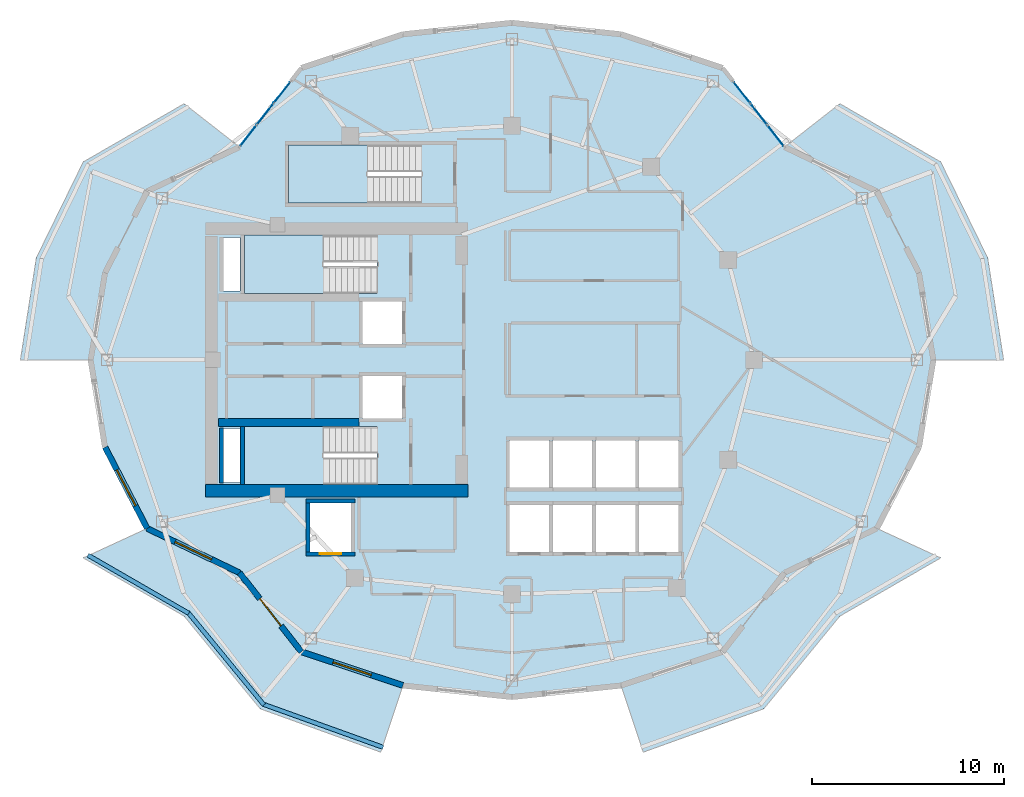
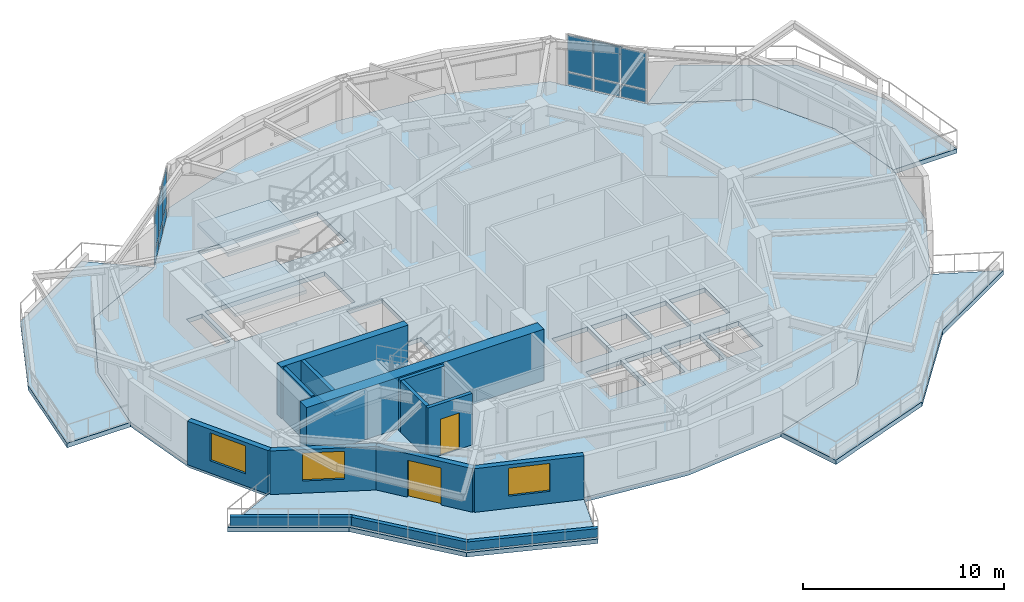
# One storey, part 5 of 13: 14 plates, 14 walls, 8 slabs, 3 windows, 2 doors, 5 openings, 5 elements without a shape of their own.
"""IFC4 building model written with IfcOpenShell, lengths in metres."""

from ifc_helpers import new_model, si_unit, direction, frame, frame_2d, origin, origin_2d, place, context, subcontext, project, spatial, polyline, rectangle, outline, extrude, material, layer, layer_set, type_object, element, fill, aggregate, save


model = new_model("IFC4")

# Units and contexts
model_context = context("Model", 3, precision=1e-05, world=origin(), true_north=direction((0.0, 1.0)))
body_context = subcontext(model_context, "Body", "Model", "MODEL_VIEW")
ifc_project = project(units=[si_unit("LENGTHUNIT", "METRE"), si_unit("AREAUNIT", "SQUARE_METRE"), si_unit("VOLUMEUNIT", "CUBIC_METRE"), si_unit("PLANEANGLEUNIT", "RADIAN"), si_unit("MASSUNIT", "GRAM", prefix="KILO")], contexts=[model_context])

# Site, building, storey
site_placement = place(None, origin())
site = spatial("IfcSite", under=ifc_project, at=site_placement, CompositionType="ELEMENT")
building_placement = place(site_placement, origin())
building = spatial("IfcBuilding", under=site, at=building_placement, Name="Kolvaren Gate Tower and Convention Centre", CompositionType="ELEMENT")
storey_placement = place(building_placement, frame((0.0, 0.0, 142.699951171875)))
storey = spatial("IfcBuildingStorey", under=building, at=storey_placement, Name="L36", CompositionType="ELEMENT", Elevation=142.699951171875)

# Plates
ifc_material_1 = material(Name="Perforated Anodized Bronze Aluminium Sheet 6 mm", Category="aluminium")
ifc_layer_1 = layer(ifc_material_1, 0.011962890625)
ifc_layer_set_1 = layer_set([ifc_layer_1], Name="Perforated Anodized Bronze Aluminium Sheet 6 mm")
plate_type_1 = type_object("IfcPlateType", Name="ARCH-PL-SCREEN-PERF", PredefinedType="SHEET", material=ifc_layer_set_1)
for number, where, z_axis, x_axis, name in (
    (1, (42.70361328125, 40.142333984375, 2.2900390625), (0.0, 0.0, 1.0), (0.616434119112, -0.787406487651, 0.0), "Tower L36 Perforated Bronze Solar Screen SS-03"),
    (2, (17.54638671875, 40.142333984375, 2.2900390625), (0.0, 0.0, 1.0), (0.616446487588, 0.787396804629, 0.0), "Tower L36 Perforated Bronze Solar Screen SS-08"),
):
    element("IfcPlate", number, at=place(storey_placement, frame(where, z_axis=z_axis, x_axis=x_axis)), inside=storey, type_object=plate_type_1, Name=name, PredefinedType="SHEET", context=body_context, shape_type="SweptSolid", body=[
        extrude(rectangle(XDim=2.60009765625, YDim=0.011962890625, at=origin_2d()), origin(), (0.0, 0.0, 1.0), 0.840087890625),
    ])

# Curtain wall, plates
ifc_material_2 = material(Name="Anodized Architectural Aluminium Alloy 6063-T6", Category="aluminium")
ifc_layer_2 = layer(ifc_material_2, 0.159912109375)
ifc_layer_set_2 = layer_set([ifc_layer_2], Name="Anodized Architectural Aluminium Alloy 6063-T6")
curtain_wall_type = type_object("IfcCurtainWallType", Name="CW-HTL-UNIT", PredefinedType="NOTDEFINED", material=ifc_layer_set_2)
curtain_wall_1_placement = place(storey_placement, origin())
curtain_wall_1 = element("IfcCurtainWall", 3, at=curtain_wall_1_placement, inside=storey, type_object=curtain_wall_type, Name="Tower L36 Unitised Curtain Wall CW-HTL-UNIT Bay 03", PredefinedType="NOTDEFINED")
ifc_material_3 = material(Name="Low-E Triple Insulated Glazing Unit 44 mm", Category="glass")
ifc_layer_3 = layer(ifc_material_3, 0.0439453125)
ifc_layer_set_3 = layer_set([ifc_layer_3], Name="Low-E Triple Insulated Glazing Unit 44 mm")
plate_type_2 = type_object("IfcPlateType", Name="CW-PL-IGU-44", PredefinedType="CURTAIN_PANEL", material=ifc_layer_set_3)
plate_1_placement = place(storey_placement, frame((42.09033203125, 40.925537109375, 0.882568359375), z_axis=(0.0, 0.0, 1.0), x_axis=(0.616437890084, -0.787403535469, 0.0)))
plate_1 = element("IfcPlate", 4, at=plate_1_placement, type_object=plate_type_2, Name="CW-03 panel 1.2", PredefinedType="CURTAIN_PANEL", context=body_context, shape_type="SweptSolid", body=[
    extrude(rectangle(XDim=1.3515625, YDim=0.0439453125, at=origin_2d()), origin(), (0.0, 0.0, 1.0), 2.1826171875),
])
plate_2_placement = place(storey_placement, frame((42.9736328125, 39.79736328125, 0.882568359375), z_axis=(0.0, 0.0, 1.0), x_axis=(0.616437890084, -0.787403535469, 0.0)))
plate_2 = element("IfcPlate", 5, at=plate_2_placement, type_object=plate_type_2, Name="CW-03 panel 2.2", PredefinedType="CURTAIN_PANEL", context=body_context, shape_type="SweptSolid", body=[
    extrude(rectangle(XDim=1.384033203125, YDim=0.0439453125, at=origin_2d()), origin(), (0.0, 0.0, 1.0), 2.1826171875),
])
plate_3_placement = place(storey_placement, frame((43.85693359375, 38.669189453125, 0.882568359375), z_axis=(0.0, 0.0, 1.0), x_axis=(0.616437890084, -0.787403535469, 0.0)))
plate_3 = element("IfcPlate", 6, at=plate_3_placement, type_object=plate_type_2, Name="CW-03 panel 3.2", PredefinedType="CURTAIN_PANEL", context=body_context, shape_type="SweptSolid", body=[
    extrude(rectangle(XDim=1.3515625, YDim=0.0439453125, at=origin_2d()), origin(), (0.0, 0.0, 1.0), 2.1826171875),
])

curtain_wall_2_placement = place(storey_placement, origin())
curtain_wall_2 = element("IfcCurtainWall", 7, at=curtain_wall_2_placement, inside=storey, type_object=curtain_wall_type, Name="Tower L36 Unitised Curtain Wall CW-HTL-UNIT Bay 08", PredefinedType="NOTDEFINED")
plate_4_placement = place(storey_placement, frame((16.39306640625, 38.669189453125, 0.882568359375), z_axis=(0.0, 0.0, 1.0), x_axis=(0.616449056034, 0.787394793807, 0.0)))
plate_4 = element("IfcPlate", 8, at=plate_4_placement, type_object=plate_type_2, Name="CW-03 panel 1.2", PredefinedType="CURTAIN_PANEL", context=body_context, shape_type="SweptSolid", body=[
    extrude(rectangle(XDim=1.3515625, YDim=0.0439453125, at=origin_2d()), origin(), (0.0, 0.0, 1.0), 2.1826171875),
])
plate_5_placement = place(storey_placement, frame((17.2763671875, 39.79736328125, 0.882568359375), z_axis=(0.0, 0.0, 1.0), x_axis=(0.616449056034, 0.787394793807, 0.0)))
plate_5 = element("IfcPlate", 9, at=plate_5_placement, type_object=plate_type_2, Name="CW-03 panel 2.2", PredefinedType="CURTAIN_PANEL", context=body_context, shape_type="SweptSolid", body=[
    extrude(rectangle(XDim=1.384033203125, YDim=0.0439453125, at=origin_2d()), origin(), (0.0, 0.0, 1.0), 2.1826171875),
])
plate_6_placement = place(storey_placement, frame((18.15966796875, 40.925537109375, 0.882568359375), z_axis=(0.0, 0.0, 1.0), x_axis=(0.616449056034, 0.787394793807, 0.0)))
plate_6 = element("IfcPlate", 10, at=plate_6_placement, type_object=plate_type_2, Name="CW-03 panel 3.2", PredefinedType="CURTAIN_PANEL", context=body_context, shape_type="SweptSolid", body=[
    extrude(rectangle(XDim=1.3515625, YDim=0.0439453125, at=origin_2d()), origin(), (0.0, 0.0, 1.0), 2.1826171875),
])

# Plate
ifc_material_4 = material(Name="Solar-Control Laminated Curtain Glazing 36 mm", Category="glass")
ifc_layer_4 = layer(ifc_material_4, 0.035888671875)
ifc_layer_set_4 = layer_set([ifc_layer_4], Name="Solar-Control Laminated Curtain Glazing 36 mm")
plate_type_3 = type_object("IfcPlateType", Name="CW-PL-SPAN-36", PredefinedType="CURTAIN_PANEL", material=ifc_layer_set_4)
plate_7_placement = place(storey_placement, frame((42.09033203125, 40.925537109375, 0.065185546875), z_axis=(0.0, 0.0, 1.0), x_axis=(0.616437890084, -0.787403535469, 0.0)))
plate_7 = element("IfcPlate", 11, at=plate_7_placement, type_object=plate_type_3, Name="CW-03 panel 1.1", PredefinedType="CURTAIN_PANEL", context=body_context, shape_type="SweptSolid", body=[
    extrude(rectangle(XDim=1.3515625, YDim=0.035888671875, at=origin_2d()), origin(), (0.0, 0.0, 1.0), 0.75244140625),
])

plate_8_placement = place(storey_placement, frame((42.9736328125, 39.79736328125, 0.065185546875), z_axis=(0.0, 0.0, 1.0), x_axis=(0.616437890084, -0.787403535469, 0.0)))
plate_8 = element("IfcPlate", 12, at=plate_8_placement, type_object=plate_type_3, Name="CW-03 panel 2.1", PredefinedType="CURTAIN_PANEL", context=body_context, shape_type="SweptSolid", body=[
    extrude(rectangle(XDim=1.384033203125, YDim=0.035888671875, at=origin_2d()), origin(), (0.0, 0.0, 1.0), 0.75244140625),
])

plate_9_placement = place(storey_placement, frame((43.85693359375, 38.669189453125, 0.065185546875), z_axis=(0.0, 0.0, 1.0), x_axis=(0.616437890084, -0.787403535469, 0.0)))
plate_9 = element("IfcPlate", 13, at=plate_9_placement, type_object=plate_type_3, Name="CW-03 panel 3.1", PredefinedType="CURTAIN_PANEL", context=body_context, shape_type="SweptSolid", body=[
    extrude(rectangle(XDim=1.3515625, YDim=0.035888671875, at=origin_2d()), origin(), (0.0, 0.0, 1.0), 0.75244140625),
])

aggregate(curtain_wall_1, [plate_7, plate_1, plate_8, plate_2, plate_9, plate_3])

plate_10_placement = place(storey_placement, frame((16.39306640625, 38.669189453125, 0.065185546875), z_axis=(0.0, 0.0, 1.0), x_axis=(0.616449056034, 0.787394793807, 0.0)))
plate_10 = element("IfcPlate", 14, at=plate_10_placement, type_object=plate_type_3, Name="CW-03 panel 1.1", PredefinedType="CURTAIN_PANEL", context=body_context, shape_type="SweptSolid", body=[
    extrude(rectangle(XDim=1.3515625, YDim=0.035888671875, at=origin_2d()), origin(), (0.0, 0.0, 1.0), 0.75244140625),
])

plate_11_placement = place(storey_placement, frame((17.2763671875, 39.79736328125, 0.065185546875), z_axis=(0.0, 0.0, 1.0), x_axis=(0.616449056034, 0.787394793807, 0.0)))
plate_11 = element("IfcPlate", 15, at=plate_11_placement, type_object=plate_type_3, Name="CW-03 panel 2.1", PredefinedType="CURTAIN_PANEL", context=body_context, shape_type="SweptSolid", body=[
    extrude(rectangle(XDim=1.384033203125, YDim=0.035888671875, at=origin_2d()), origin(), (0.0, 0.0, 1.0), 0.75244140625),
])

plate_12_placement = place(storey_placement, frame((18.15966796875, 40.925537109375, 0.065185546875), z_axis=(0.0, 0.0, 1.0), x_axis=(0.616449056034, 0.787394793807, 0.0)))
plate_12 = element("IfcPlate", 16, at=plate_12_placement, type_object=plate_type_3, Name="CW-03 panel 3.1", PredefinedType="CURTAIN_PANEL", context=body_context, shape_type="SweptSolid", body=[
    extrude(rectangle(XDim=1.3515625, YDim=0.035888671875, at=origin_2d()), origin(), (0.0, 0.0, 1.0), 0.75244140625),
])

aggregate(curtain_wall_2, [plate_10, plate_4, plate_11, plate_5, plate_12, plate_6])

# Slabs
ifc_material_5 = material(Name="Concrete C50/60", Category="concrete")
ifc_layer_5 = layer(ifc_material_5, 0.27001953125)
ifc_layer_set_5 = layer_set([ifc_layer_5], Name="Concrete C50/60")
slab_type_1 = type_object("IfcSlabType", Name="STR-SL-BALC-270", PredefinedType="FLOOR", material=ifc_layer_set_5)
slab_1_placement = place(storey_placement, frame((0.0, 0.0, -0.27001953125)))
element("IfcSlab", 17, at=slab_1_placement, inside=storey, type_object=slab_type_1, Name="Tower L36 Planted Balcony Terrace Slab 1 (East)", PredefinedType="FLOOR", context=body_context, shape_type="SweptSolid", body=[
    extrude(outline(polyline([(52.0625, 27.0), (51.31494140625, 31.542236328125), (49.123291015625, 35.77490234375), (44.3134765625, 38.0859375), (47.197509765625, 40.33935546875), (52.446044921875, 37.309814453125), (54.893798828125, 32.309326171875), (55.722412109375, 27.0), (52.0625, 27.0)])), origin(), (0.0, 0.0, 1.0), 0.27001953125),
])
slab_2_placement = place(storey_placement, frame((0.0, 0.0, -0.27001953125)))
element("IfcSlab", 18, at=slab_2_placement, inside=storey, type_object=slab_type_1, Name="Tower L36 Planted Balcony Terrace Slab 2 (West)", PredefinedType="FLOOR", context=body_context, shape_type="SweptSolid", body=[
    extrude(outline(polyline([(15.9365234375, 38.0859375), (11.126708984375, 35.77490234375), (8.93505859375, 31.542236328125), (8.1875, 27.0), (4.527587890625, 27.0), (5.356201171875, 32.309326171875), (7.803955078125, 37.309814453125), (13.052490234375, 40.33935546875), (15.9365234375, 38.0859375)])), origin(), (0.0, 0.0, 1.0), 0.27001953125),
])
slab_3_placement = place(storey_placement, frame((0.0, 0.0, -0.27001953125)))
element("IfcSlab", 19, at=slab_3_placement, inside=storey, type_object=slab_type_1, Name="Tower L36 Planted Balcony Terrace Slab 3 (South)", PredefinedType="FLOOR", context=body_context, shape_type="SweptSolid", body=[
    extrude(outline(polyline([(11.126708984375, 18.22509765625), (15.9365234375, 15.9140625), (19.15625, 11.80126953125), (24.447265625, 10.048095703125), (23.284912109375, 6.577392578125), (17.014404296875, 8.83349609375), (13.052490234375, 13.66064453125), (7.803955078125, 16.690185546875), (11.126708984375, 18.22509765625)])), origin(), (0.0, 0.0, 1.0), 0.27001953125),
])
slab_4_placement = place(storey_placement, frame((0.0, 0.0, -0.27001953125)))
element("IfcSlab", 20, at=slab_4_placement, inside=storey, type_object=slab_type_1, Name="Tower L36 Planted Balcony Terrace Slab 4 (South)", PredefinedType="FLOOR", context=body_context, shape_type="SweptSolid", body=[
    extrude(outline(polyline([(35.802734375, 10.048095703125), (41.09375, 11.80126953125), (44.3134765625, 15.9140625), (49.123291015625, 18.22509765625), (52.446044921875, 16.690185546875), (47.197509765625, 13.66064453125), (43.235595703125, 8.83349609375), (36.965087890625, 6.577392578125), (35.802734375, 10.048095703125)])), origin(), (0.0, 0.0, 1.0), 0.27001953125),
])
ifc_material_6 = material(Name="Concrete C40/50", Category="concrete")
ifc_layer_6 = layer(ifc_material_6, 0.27001953125)
ifc_layer_set_6 = layer_set([ifc_layer_6], Name="Concrete C40/50")
slab_type_2 = type_object("IfcSlabType", Name="STR-SL-FLR-270", PredefinedType="FLOOR", material=ifc_layer_set_6)
slab_5_placement = place(storey_placement, frame((0.0, 0.0, -0.27001953125)))
element("IfcSlab", 21, at=slab_5_placement, inside=storey, type_object=slab_type_2, Name="Tower L36 Structural Floor Slab", PredefinedType="FLOOR", context=body_context, shape_type="SweptSolid", body=[
    extrude(outline(polyline([(52.0625, 27.0), (51.31494140625, 31.542236328125), (49.123291015625, 35.77490234375), (44.3134765625, 38.0859375), (41.09375, 42.19873046875), (35.802734375, 43.951904296875), (30.125, 44.550048828125), (24.447265625, 43.951904296875), (19.15625, 42.19873046875), (15.9365234375, 38.0859375), (11.126708984375, 35.77490234375), (8.93505859375, 31.542236328125), (8.1875, 27.0), (8.93505859375, 22.457763671875), (11.126708984375, 18.22509765625), (15.9365234375, 15.9140625), (19.15625, 11.80126953125), (24.447265625, 10.048095703125), (30.125, 9.449951171875), (35.802734375, 10.048095703125), (41.09375, 11.80126953125), (44.3134765625, 15.9140625), (49.123291015625, 18.22509765625), (51.31494140625, 22.457763671875), (52.0625, 27.0)]), holes=[polyline([(36.75, 17.0), (36.75, 19.449951171875), (38.800048828125, 19.449951171875), (38.800048828125, 17.0), (36.75, 17.0)]), polyline([(36.75, 20.35009765625), (36.75, 22.800048828125), (38.800048828125, 22.800048828125), (38.800048828125, 20.35009765625), (36.75, 20.35009765625)]), polyline([(34.5, 17.0), (34.5, 19.449951171875), (36.550048828125, 19.449951171875), (36.550048828125, 17.0), (34.5, 17.0)]), polyline([(34.5, 20.35009765625), (34.5, 22.800048828125), (36.550048828125, 22.800048828125), (36.550048828125, 20.35009765625), (34.5, 20.35009765625)]), polyline([(32.25, 17.0), (32.25, 19.449951171875), (34.300048828125, 19.449951171875), (34.300048828125, 17.0), (32.25, 17.0)]), polyline([(32.25, 20.35009765625), (32.25, 22.800048828125), (34.300048828125, 22.800048828125), (34.300048828125, 20.35009765625), (32.25, 20.35009765625)]), polyline([(30.0, 17.0), (30.0, 19.449951171875), (32.050048828125, 19.449951171875), (32.050048828125, 17.0), (30.0, 17.0)]), polyline([(30.0, 20.35009765625), (30.0, 22.800048828125), (32.050048828125, 22.800048828125), (32.050048828125, 20.35009765625), (30.0, 20.35009765625)]), polyline([(25.39990234375, 38.199951171875), (25.39990234375, 35.159912109375), (18.5, 35.159912109375), (18.5, 38.199951171875), (25.39990234375, 38.199951171875)]), polyline([(22.35009765625, 23.9599609375), (22.35009765625, 26.159912109375), (24.39990234375, 26.159912109375), (24.39990234375, 23.9599609375), (22.35009765625, 23.9599609375)]), polyline([(22.35009765625, 27.840087890625), (22.35009765625, 30.0400390625), (24.39990234375, 30.0400390625), (24.39990234375, 27.840087890625), (22.35009765625, 27.840087890625)]), polyline([(23.10009765625, 23.5400390625), (23.10009765625, 20.5), (16.199951171875, 20.5), (16.199951171875, 23.5400390625), (23.10009765625, 23.5400390625)]), polyline([(23.10009765625, 33.5), (23.10009765625, 30.4599609375), (16.199951171875, 30.4599609375), (16.199951171875, 33.5), (23.10009765625, 33.5)]), polyline([(19.60009765625, 17.0), (19.60009765625, 19.550048828125), (21.75, 19.550048828125), (21.75, 17.0), (19.60009765625, 17.0)]), polyline([(15.080078125, 20.6298828125), (15.080078125, 23.419921875), (15.969970703125, 23.419921875), (15.969970703125, 20.6298828125), (15.080078125, 20.6298828125)]), polyline([(15.080078125, 30.580078125), (15.080078125, 33.3701171875), (15.969970703125, 33.3701171875), (15.969970703125, 30.580078125), (15.080078125, 30.580078125)])]), origin(), (0.0, 0.0, 1.0), 0.27001953125),
])

# Stair, slab
stair_type = type_object("IfcStairType", Name="STR-STAIR-CORE", PredefinedType="HALF_TURN_STAIR", material=ifc_material_5)
stair_1_placement = place(storey_placement, origin())
stair_1 = element("IfcStair", 22, at=stair_1_placement, inside=storey, type_object=stair_type, Name="L36 Tower North Exit Stair ST-T1", PredefinedType="HALF_TURN_STAIR")
ifc_layer_7 = layer(ifc_material_5, 0.199951171875)
ifc_layer_set_7 = layer_set([ifc_layer_7], Name="Concrete C50/60")
slab_type_3 = type_object("IfcSlabType", Name="STR-SL-LAND-200", PredefinedType="LANDING", material=ifc_layer_set_7)
slab_6_placement = place(storey_placement, frame((0.0, 0.0, 1.5)))
slab_6 = element("IfcSlab", 23, at=slab_6_placement, type_object=slab_type_3, Name="ST-T1 landing 1", PredefinedType="LANDING", context=body_context, shape_type="SweptSolid", body=[
    extrude(outline(polyline([(20.31005859375, 33.5), (16.199951171875, 33.5), (16.199951171875, 30.4599609375), (20.31005859375, 30.4599609375), (20.31005859375, 33.5)])), origin(), (0.0, 0.0, 1.0), 0.199951171875),
])
aggregate(stair_1, [slab_6])

stair_2_placement = place(storey_placement, origin())
stair_2 = element("IfcStair", 24, at=stair_2_placement, inside=storey, type_object=stair_type, Name="L36 Tower South Exit Stair ST-T2", PredefinedType="HALF_TURN_STAIR")
slab_7_placement = place(storey_placement, frame((0.0, 0.0, 1.5)))
slab_7 = element("IfcSlab", 25, at=slab_7_placement, type_object=slab_type_3, Name="ST-T2 landing 1", PredefinedType="LANDING", context=body_context, shape_type="SweptSolid", body=[
    extrude(outline(polyline([(20.31005859375, 23.5400390625), (16.199951171875, 23.5400390625), (16.199951171875, 20.5), (20.31005859375, 20.5), (20.31005859375, 23.5400390625)])), origin(), (0.0, 0.0, 1.0), 0.199951171875),
])
aggregate(stair_2, [slab_7])

stair_3_placement = place(storey_placement, origin())
stair_3 = element("IfcStair", 26, at=stair_3_placement, inside=storey, type_object=stair_type, Name="L36 Tower Mid-Zone Exit Stair ST-T3", PredefinedType="HALF_TURN_STAIR")
slab_8_placement = place(storey_placement, frame((0.0, 0.0, 1.5)))
slab_8 = element("IfcSlab", 27, at=slab_8_placement, type_object=slab_type_3, Name="ST-T3 landing 1", PredefinedType="LANDING", context=body_context, shape_type="SweptSolid", body=[
    extrude(outline(polyline([(22.610107421875, 38.199951171875), (18.5, 38.199951171875), (18.5, 35.159912109375), (22.610107421875, 35.159912109375), (22.610107421875, 38.199951171875)])), origin(), (0.0, 0.0, 1.0), 0.199951171875),
])
aggregate(stair_3, [slab_8])

# Walls
ifc_material_7 = material(Name="Piedmont Cream Honed Limestone Cladding", Category="masonry")
ifc_layer_8 = layer(ifc_material_7, 0.219970703125)
ifc_layer_set_8 = layer_set([ifc_layer_8], Name="Piedmont Cream Honed Limestone Cladding")
wall_type_1 = type_object("IfcWallType", Name="ARCH-WL-PLANTER-220", PredefinedType="PARAPET", material=ifc_layer_set_8)
wall_1_placement = place(storey_placement, frame((8.0439453125, 16.83447265625, 0.0), z_axis=(0.0, 0.0, 1.0), x_axis=(0.866058128659, -0.499943314571, 0.0)))
element("IfcWall", 28, at=wall_1_placement, inside=storey, type_object=wall_type_1, Name="Vertical-Forest Balcony Stone Planter Kerb PK-L36-3.1", PredefinedType="PARAPET", context=body_context, shape_type="SweptSolid", body=[
    extrude(rectangle(XDim=6.060302734375, YDim=0.219970703125, at=frame_2d((3.0302734375, 0.0))), origin(), (0.0, 0.0, 1.0), 0.52001953125),
])
wall_2_placement = place(storey_placement, frame((13.24609375, 13.86279296875, 0.0), z_axis=(0.0, 0.0, 1.0), x_axis=(0.634429234628, -0.77298094818, 0.0)))
element("IfcWall", 29, at=wall_2_placement, inside=storey, type_object=wall_type_1, Name="Vertical-Forest Balcony Stone Planter Kerb PK-L36-3.2", PredefinedType="PARAPET", context=body_context, shape_type="SweptSolid", body=[
    extrude(rectangle(XDim=6.244873046875, YDim=0.219970703125, at=frame_2d((3.12255859375, 0.0))), origin(), (0.0, 0.0, 1.0), 0.52001953125),
])
wall_3_placement = place(storey_placement, frame((17.142822265625, 9.082275390625, 0.0), z_axis=(0.0, 0.0, 1.0), x_axis=(0.940948576924, -0.338549517184, 0.0)))
element("IfcWall", 30, at=wall_3_placement, inside=storey, type_object=wall_type_1, Name="Vertical-Forest Balcony Stone Planter Kerb PK-L36-3.3", PredefinedType="PARAPET", context=body_context, shape_type="SweptSolid", body=[
    extrude(rectangle(XDim=6.6640625, YDim=0.219970703125, at=frame_2d((3.33203125, 0.0))), origin(), (0.0, 0.0, 1.0), 0.52001953125),
])
ifc_material_8 = material(Name="Autoclaved Aerated Masonry Blockwork Class 4 (4.0 MPa)", Category="masonry")
ifc_layer_9 = layer(ifc_material_8, 0.199951171875)
ifc_layer_set_9 = layer_set([ifc_layer_9], Name="Autoclaved Aerated Masonry Blockwork Class 4 (4.0 MPa)")
wall_type_2 = type_object("IfcWallType", Name="ARCH-WL-SHAFT-200", PredefinedType="SOLIDWALL", material=ifc_layer_set_9)
wall_4_placement = place(storey_placement, frame((19.39990234375, 19.64990234375, 0.0), z_axis=(0.0, 0.0, 1.0), x_axis=(1.0, 0.0, 0.0)))
element("IfcWall", 31, at=wall_4_placement, inside=storey, type_object=wall_type_2, Name="Elevator SV-01 L36 Fire Shaft Wall N", PredefinedType="SOLIDWALL", context=body_context, shape_type="SweptSolid", body=[
    extrude(rectangle(XDim=2.550048828125, YDim=0.199951171875, at=frame_2d((1.27490234375, 0.0))), origin(), (0.0, 0.0, 1.0), 3.130126953125),
])

# Wall, opening, door
wall_5_placement = place(storey_placement, frame((19.39990234375, 16.89990234375, 0.0), z_axis=(0.0, 0.0, 1.0), x_axis=(1.0, 0.0, 0.0)))
wall_5 = element("IfcWall", 32, at=wall_5_placement, inside=storey, type_object=wall_type_2, Name="Elevator SV-01 L36 Fire Shaft Wall S", PredefinedType="SOLIDWALL", context=body_context, shape_type="SweptSolid", body=[
    extrude(rectangle(XDim=2.550048828125, YDim=0.199951171875, at=frame_2d((1.27490234375, 0.0))), origin(), (0.0, 0.0, 1.0), 3.130126953125),
])
opening_1_placement = place(wall_5_placement, frame((0.72509765625, 0.0, 0.0)))
opening_1 = element("IfcOpeningElement", 33, at=opening_1_placement, cuts=wall_5, Name="Opening LD", PredefinedType="OPENING", context=body_context, shape_type="SweptSolid", body=[
    extrude(rectangle(XDim=1.10009765625, YDim=2.199951171875, at=frame_2d((0.550048828125, 1.10009765625))), frame((0.0, 0.10986328125, 0.0), z_axis=(0.0, -1.0, 0.0), x_axis=(1.0, 0.0, 0.0)), (0.0, 0.0, 1.0), 0.219970703125),
])
ifc_material_9 = material(Name="Brushed Stainless Steel Grade 316L", Category="steel")
door_type_1 = type_object("IfcDoorType", Name="ARCH-DR-LIFT-1100", OperationType="SLIDING_TO_LEFT", PredefinedType="DOOR", material=ifc_material_9)
door_1_placement = place(opening_1_placement, origin())
door_1 = element("IfcDoor", 34, at=door_1_placement, inside=storey, type_object=door_type_1, Name="Elevator SV-01 L36 Sliding Landing Door", OperationType="SLIDING_TO_LEFT", OverallHeight=2.199951171875, OverallWidth=1.10009765625, PredefinedType="DOOR", context=body_context, shape_type="SweptSolid", body=[
    extrude(rectangle(XDim=1.10009765625, YDim=2.199951171875, at=frame_2d((0.550048828125, 1.10009765625))), frame((0.0, 0.02490234375, 0.0), z_axis=(0.0, -1.0, 0.0), x_axis=(1.0, 0.0, 0.0)), (0.0, 0.0, 1.0), 0.050048828125),
])
fill(opening_1, door_1)

# Walls
wall_6_placement = place(storey_placement, frame((19.5, 17.010009765625, 0.0), z_axis=(0.0, 0.0, 1.0), x_axis=(0.0, 1.0, 0.0)))
element("IfcWall", 35, at=wall_6_placement, inside=storey, type_object=wall_type_2, Name="Elevator SV-01 L36 Fire Shaft Wall W", PredefinedType="SOLIDWALL", context=body_context, shape_type="SweptSolid", body=[
    extrude(rectangle(XDim=2.530029296875, YDim=0.199951171875, at=frame_2d((1.26513671875, 0.0))), origin(), (0.0, 0.0, 1.0), 3.130126953125),
])
wall_7_placement = place(storey_placement, frame((14.989990234375, 20.60009765625, 0.0), z_axis=(0.0, 0.0, 1.0), x_axis=(0.0, 1.0, 0.0)))
element("IfcWall", 36, at=wall_7_placement, inside=storey, type_object=wall_type_2, Name="Vertical Shaft MPR L36 EI-120 Enclosure Wall W", PredefinedType="SOLIDWALL", context=body_context, shape_type="SweptSolid", body=[
    extrude(rectangle(XDim=2.849853515625, YDim=0.199951171875, at=frame_2d((1.4248046875, 0.0))), origin(), (0.0, 0.0, 1.0), 3.130126953125),
])

# Wall, opening, window
ifc_layer_10 = layer(ifc_material_7, 0.300048828125)
ifc_layer_set_10 = layer_set([ifc_layer_10], Name="Piedmont Cream Honed Limestone Cladding")
wall_type_3 = type_object("IfcWallType", Name="ARCH-WL-STONE-300", PredefinedType="SOLIDWALL", material=ifc_layer_set_10)
wall_8_placement = place(storey_placement, frame((8.93505859375, 22.457763671875, 0.0), z_axis=(0.0, 0.0, 1.0), x_axis=(0.459810251451, -0.888017191647, 0.0)))
wall_8 = element("IfcWall", 37, at=wall_8_placement, inside=storey, type_object=wall_type_3, Name="Tower L36 Honed Stone Spandrel Wall EW-13", PredefinedType="SOLIDWALL", context=body_context, shape_type="SweptSolid", body=[
    extrude(rectangle(XDim=4.766357421875, YDim=0.300048828125, at=frame_2d((2.38330078125, 0.0))), origin(), (0.0, 0.0, 1.0), 2.653076171875),
])
opening_2_placement = place(wall_8_placement, frame((1.3330078125, 0.0, 0.739990234375)))
opening_2 = element("IfcOpeningElement", 38, at=opening_2_placement, cuts=wall_8, Name="Opening W-02", PredefinedType="OPENING", context=body_context, shape_type="SweptSolid", body=[
    extrude(rectangle(XDim=2.10009765625, YDim=1.699951171875, at=frame_2d((1.050048828125, 0.85009765625))), frame((0.0, 0.159912109375, 0.0), z_axis=(0.0, -1.0, 0.0), x_axis=(1.0, 0.0, 0.0)), (0.0, 0.0, 1.0), 0.320068359375),
])
window_type = type_object("IfcWindowType", Name="ARCH-WN-HTL-2100", PartitioningType="SINGLE_PANEL", PredefinedType="WINDOW", material=ifc_material_3)
window_1_placement = place(opening_2_placement, origin())
window_1 = element("IfcWindow", 39, at=window_1_placement, inside=storey, type_object=window_type, Name="Tower L36 Punched Stone Facade Window W-13", OverallHeight=1.699951171875, OverallWidth=2.10009765625, PartitioningType="SINGLE_PANEL", PredefinedType="WINDOW", context=body_context, shape_type="SweptSolid", body=[
    extrude(rectangle(XDim=2.10009765625, YDim=1.699951171875, at=frame_2d((1.050048828125, 0.85009765625))), frame((0.0, 0.030029296875, 0.0), z_axis=(0.0, -1.0, 0.0), x_axis=(1.0, 0.0, 0.0)), (0.0, 0.0, 1.0), 0.06005859375),
])
fill(opening_2, window_1)

wall_9_placement = place(storey_placement, frame((11.126708984375, 18.22509765625, 0.0), z_axis=(0.0, 0.0, 1.0), x_axis=(0.901353070301, -0.433085029363, 0.0)))
wall_9 = element("IfcWall", 40, at=wall_9_placement, inside=storey, type_object=wall_type_3, Name="Tower L36 Honed Stone Spandrel Wall EW-14", PredefinedType="SOLIDWALL", context=body_context, shape_type="SweptSolid", body=[
    extrude(rectangle(XDim=5.336181640625, YDim=0.300048828125, at=frame_2d((2.66796875, 0.0))), origin(), (0.0, 0.0, 1.0), 2.653076171875),
])
opening_3_placement = place(wall_9_placement, frame((1.617919921875, 0.0, 0.739990234375)))
opening_3 = element("IfcOpeningElement", 41, at=opening_3_placement, cuts=wall_9, Name="Opening W-02", PredefinedType="OPENING", context=body_context, shape_type="SweptSolid", body=[
    extrude(rectangle(XDim=2.10009765625, YDim=1.699951171875, at=frame_2d((1.050048828125, 0.85009765625))), frame((0.0, 0.159912109375, 0.0), z_axis=(0.0, -1.0, 0.0), x_axis=(1.0, 0.0, 0.0)), (0.0, 0.0, 1.0), 0.320068359375),
])
window_2_placement = place(opening_3_placement, origin())
window_2 = element("IfcWindow", 42, at=window_2_placement, inside=storey, type_object=window_type, Name="Tower L36 Punched Stone Facade Window W-14", OverallHeight=1.699951171875, OverallWidth=2.10009765625, PartitioningType="SINGLE_PANEL", PredefinedType="WINDOW", context=body_context, shape_type="SweptSolid", body=[
    extrude(rectangle(XDim=2.10009765625, YDim=1.699951171875, at=frame_2d((1.050048828125, 0.85009765625))), frame((0.0, 0.030029296875, 0.0), z_axis=(0.0, -1.0, 0.0), x_axis=(1.0, 0.0, 0.0)), (0.0, 0.0, 1.0), 0.06005859375),
])
fill(opening_3, window_2)

# Wall, opening, door
wall_10_placement = place(storey_placement, frame((15.9365234375, 15.9140625, 0.0), z_axis=(0.0, 0.0, 1.0), x_axis=(0.616429245738, -0.787410302828, 0.0)))
wall_10 = element("IfcWall", 43, at=wall_10_placement, inside=storey, type_object=wall_type_3, Name="Tower L36 Honed Stone Spandrel Wall EW-15", PredefinedType="SOLIDWALL", context=body_context, shape_type="SweptSolid", body=[
    extrude(rectangle(XDim=5.22314453125, YDim=0.300048828125, at=frame_2d((2.611572265625, 0.0))), origin(), (0.0, 0.0, 1.0), 2.653076171875),
])
opening_4_placement = place(wall_10_placement, frame((1.7119140625, 0.0, 0.0)))
opening_4 = element("IfcOpeningElement", 44, at=opening_4_placement, cuts=wall_10, Name="Opening DB-01", PredefinedType="OPENING", context=body_context, shape_type="SweptSolid", body=[
    extrude(rectangle(XDim=1.800048828125, YDim=2.25, at=frame_2d((0.89990234375, 1.125))), frame((0.0, 0.159912109375, 0.0), z_axis=(0.0, -1.0, 0.0), x_axis=(1.0, 0.0, 0.0)), (0.0, 0.0, 1.0), 0.320068359375),
])
door_type_2 = type_object("IfcDoorType", Name="ARCH-DR-BALC-1800", OperationType="SLIDING_TO_LEFT", PredefinedType="DOOR", material=ifc_material_2)
door_2_placement = place(opening_4_placement, frame((1.800048828125, 0.0, 0.0), z_axis=(0.0, 0.0, 1.0), x_axis=(-1.0, 0.0, 0.0)))
door_2 = element("IfcDoor", 45, at=door_2_placement, inside=storey, type_object=door_type_2, Name="Planted Sky Terrace Access Door DB-L36-15", OperationType="SLIDING_TO_LEFT", OverallHeight=2.25, OverallWidth=1.800048828125, PredefinedType="DOOR", context=body_context, shape_type="SweptSolid", body=[
    extrude(rectangle(XDim=1.800048828125, YDim=2.25, at=frame_2d((0.89990234375, 1.125))), frame((0.0, 0.02490234375, 0.0), z_axis=(0.0, -1.0, 0.0), x_axis=(1.0, 0.0, 0.0)), (0.0, 0.0, 1.0), 0.050048828125),
])
fill(opening_4, door_2)

# Wall, opening, window
wall_11_placement = place(storey_placement, frame((19.15625, 11.80126953125, 0.0), z_axis=(0.0, 0.0, 1.0), x_axis=(0.949246811547, -0.314532177636, 0.0)))
wall_11 = element("IfcWall", 46, at=wall_11_placement, inside=storey, type_object=wall_type_3, Name="Tower L36 Honed Stone Spandrel Wall EW-16", PredefinedType="SOLIDWALL", context=body_context, shape_type="SweptSolid", body=[
    extrude(rectangle(XDim=5.573974609375, YDim=0.300048828125, at=frame_2d((2.787109375, 0.0))), origin(), (0.0, 0.0, 1.0), 2.653076171875),
])
opening_5_placement = place(wall_11_placement, frame((1.737060546875, 0.0, 0.739990234375)))
opening_5 = element("IfcOpeningElement", 47, at=opening_5_placement, cuts=wall_11, Name="Opening W-02", PredefinedType="OPENING", context=body_context, shape_type="SweptSolid", body=[
    extrude(rectangle(XDim=2.10009765625, YDim=1.699951171875, at=frame_2d((1.050048828125, 0.85009765625))), frame((0.0, 0.159912109375, 0.0), z_axis=(0.0, -1.0, 0.0), x_axis=(1.0, 0.0, 0.0)), (0.0, 0.0, 1.0), 0.320068359375),
])
window_3_placement = place(opening_5_placement, origin())
window_3 = element("IfcWindow", 48, at=window_3_placement, inside=storey, type_object=window_type, Name="Tower L36 Punched Stone Facade Window W-16", OverallHeight=1.699951171875, OverallWidth=2.10009765625, PartitioningType="SINGLE_PANEL", PredefinedType="WINDOW", context=body_context, shape_type="SweptSolid", body=[
    extrude(rectangle(XDim=2.10009765625, YDim=1.699951171875, at=frame_2d((1.050048828125, 0.85009765625))), frame((0.0, 0.030029296875, 0.0), z_axis=(0.0, -1.0, 0.0), x_axis=(1.0, 0.0, 0.0)), (0.0, 0.0, 1.0), 0.06005859375),
])
fill(opening_5, window_3)

# Walls
ifc_layer_11 = layer(ifc_material_5, 0.419921875)
ifc_layer_set_11 = layer_set([ifc_layer_11], Name="Concrete C50/60")
wall_type_4 = type_object("IfcWallType", Name="STR-WL-CONV-420", PredefinedType="SHEAR", material=ifc_layer_set_11)
wall_12_placement = place(storey_placement, frame((14.85009765625, 23.75, -0.27001953125), z_axis=(0.0, 0.0, 1.0), x_axis=(1.0, 0.0, 0.0)))
element("IfcWall", 49, at=wall_12_placement, inside=storey, type_object=wall_type_4, Name="Tower L36 Offset Core Shear Wall WS", PredefinedType="SHEAR", context=body_context, shape_type="SweptSolid", body=[
    extrude(rectangle(XDim=7.2998046875, YDim=0.419921875, at=frame_2d((3.64990234375, 0.0))), origin(), (0.0, 0.0, 1.0), 3.400146484375),
])
ifc_material_10 = material(Name="Concrete C60/75", Category="concrete")
ifc_layer_12 = layer(ifc_material_10, 0.64990234375)
ifc_layer_set_12 = layer_set([ifc_layer_12], Name="Concrete C60/75")
wall_type_5 = type_object("IfcWallType", Name="STR-WL-CORE-650", PredefinedType="SHEAR", material=ifc_layer_set_12)
wall_13_placement = place(storey_placement, frame((14.175048828125, 20.175048828125, -0.27001953125), z_axis=(0.0, 0.0, 1.0), x_axis=(1.0, 0.0, 0.0)))
element("IfcWall", 50, at=wall_13_placement, inside=storey, type_object=wall_type_5, Name="Tower L36 Offset Core Shear Wall S", PredefinedType="SHEAR", context=body_context, shape_type="SweptSolid", body=[
    extrude(rectangle(XDim=13.64990234375, YDim=0.64990234375, at=frame_2d((6.824951171875, 0.0))), origin(), (0.0, 0.0, 1.0), 3.400146484375),
])
ifc_layer_13 = layer(ifc_material_5, 0.199951171875)
ifc_layer_set_13 = layer_set([ifc_layer_13], Name="Concrete C50/60")
wall_type_6 = type_object("IfcWallType", Name="STR-WL-SHAFT-200", PredefinedType="SHEAR", material=ifc_layer_set_13)
wall_14_placement = place(storey_placement, frame((16.10009765625, 20.501953125, -0.27001953125), z_axis=(0.0, 0.0, 1.0), x_axis=(0.0, 1.0, 0.0)))
element("IfcWall", 51, at=wall_14_placement, inside=storey, type_object=wall_type_6, Name="Tower South Exit Stair ST-T2 L36 Structural Shear Enclosure Wall FAR", PredefinedType="SHEAR", context=body_context, shape_type="SweptSolid", body=[
    extrude(rectangle(XDim=3.0361328125, YDim=0.199951171875, at=frame_2d((1.51806640625, 0.0))), origin(), (0.0, 0.0, 1.0), 3.400146484375),
])

save(model, "model.ifc")
